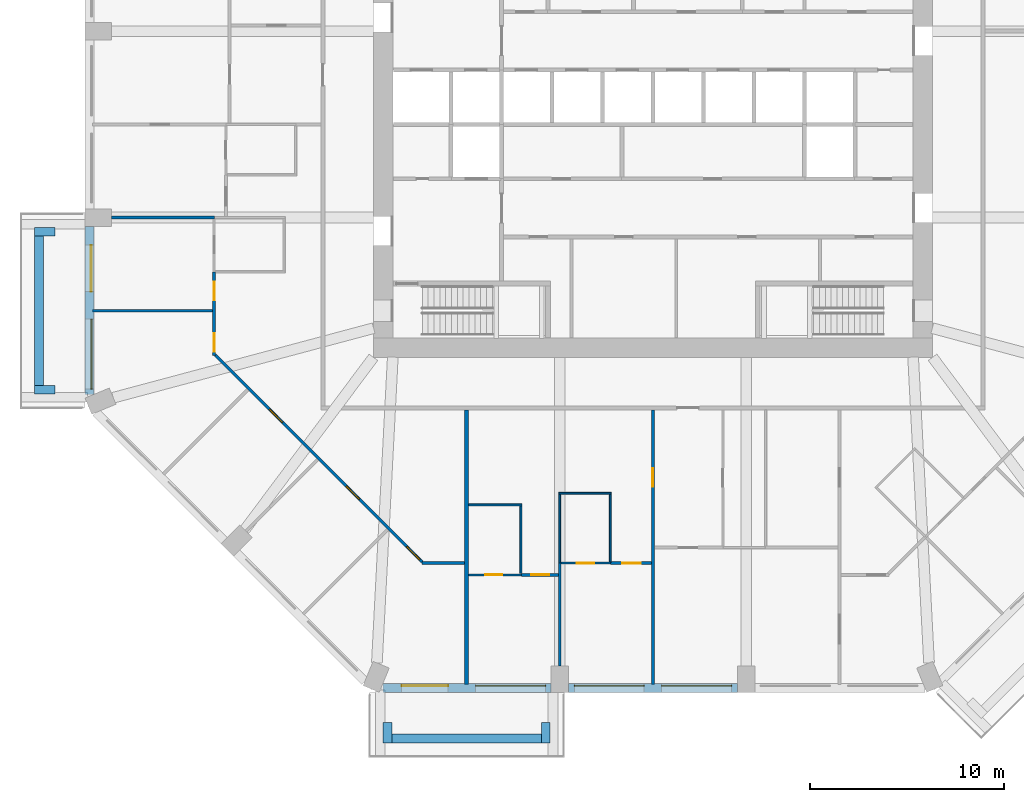
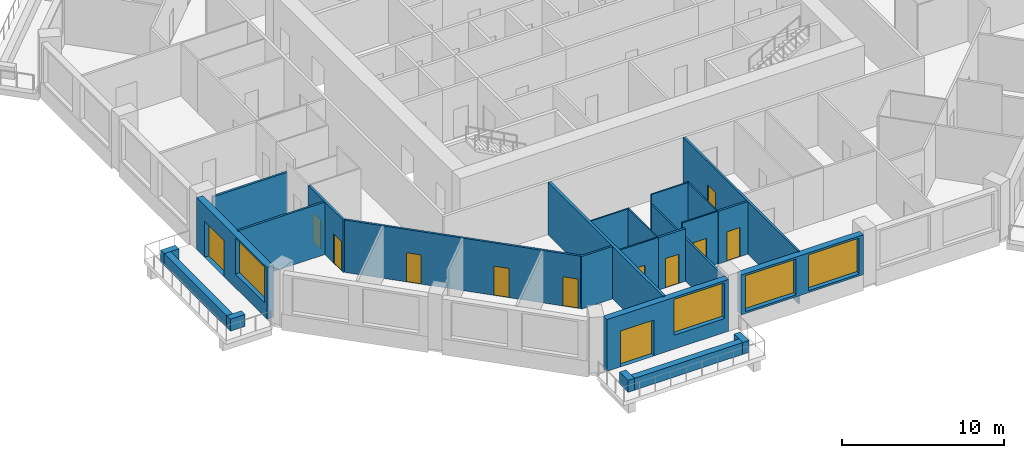
# One storey, part 3 of 13: 26 walls, 12 doors, 4 windows, 16 openings.
"""IFC4 building model written with IfcOpenShell, lengths in metres."""

from ifc_helpers import new_model, si_unit, direction, frame, frame_2d, origin, place, context, subcontext, project, spatial, rectangle, extrude, material, layer, layer_set, type_object, element, fill, save


model = new_model("IFC4")

# Units and contexts
model_context = context("Model", 3, precision=1e-05, world=origin(), true_north=direction((0.0, 1.0)))
body_context = subcontext(model_context, "Body", "Model", "MODEL_VIEW")
ifc_project = project(units=[si_unit("LENGTHUNIT", "METRE"), si_unit("AREAUNIT", "SQUARE_METRE"), si_unit("VOLUMEUNIT", "CUBIC_METRE"), si_unit("PLANEANGLEUNIT", "RADIAN"), si_unit("MASSUNIT", "GRAM", prefix="KILO")], contexts=[model_context])

# Site, building, storey
site_placement = place(None, origin())
site = spatial("IfcSite", under=ifc_project, at=site_placement, CompositionType="ELEMENT")
building_placement = place(site_placement, origin())
building = spatial("IfcBuilding", under=site, at=building_placement, Name="Msitu Wima Residences", CompositionType="ELEMENT")
storey_placement = place(building_placement, frame((0.0, 0.0, 84.300048828125)))
storey = spatial("IfcBuildingStorey", under=building, at=storey_placement, Name="L19", CompositionType="ELEMENT", Elevation=84.300048828125)

# Walls
ifc_material_1 = material(Name="Facing brick")
ifc_layer_1 = layer(ifc_material_1, 0.06494140625, Name="Facing brick")
ifc_material_2 = material(Name="Concrete C40/50", Category="concrete")
ifc_layer_2 = layer(ifc_material_2, 0.156005859375, Name="Concrete C40/50")
ifc_material_3 = material(Name="Waterproofing membrane")
ifc_layer_3 = layer(ifc_material_3, 0.00390625, Name="Waterproofing membrane")
ifc_material_4 = material(Name="Planting soil and planting")
ifc_layer_4 = layer(ifc_material_4, 0.22509765625, Name="Planting soil and planting")
ifc_layer_set_1 = layer_set([ifc_layer_1, ifc_layer_2, ifc_layer_3, ifc_layer_4], Name="Concrete C40/50")
wall_type_1 = type_object("IfcWallType", Name="Balcony planter PLANTER PL450", PredefinedType="USERDEFINED", material=ifc_layer_set_1)
wall_1_placement = place(storey_placement, frame((-31.625, -5.75, 0.0), z_axis=(0.0, 0.0, 1.0), x_axis=(0.0, -1.0, 0.0)))
element("IfcWall", 1, at=wall_1_placement, inside=storey, type_object=wall_type_1, Name="Balcony planter W2 L19", ObjectType="PLANTER", PredefinedType="USERDEFINED", context=body_context, shape_type="SweptSolid", body=[
    extrude(rectangle(XDim=7.699951171875, YDim=0.449951171875, at=frame_2d((3.85009765625, 0.0))), origin(), (0.0, 0.0, 1.0), 0.89990234375),
])
for number, where, z_axis, x_axis, name in (
    (2, (-30.800048828125, -5.52490234375, 0.0), (0.0, 0.0, 1.0), (-1.0, 0.0, 0.0), "Balcony planter W2 L19"),
    (3, (-30.800048828125, -13.675048828125, 0.0), (0.0, 0.0, 1.0), (-1.0, 0.0, 0.0), "Balcony planter W2 L19"),
):
    element("IfcWall", number, at=place(storey_placement, frame(where, z_axis=z_axis, x_axis=x_axis)), inside=storey, type_object=wall_type_1, Name=name, ObjectType="PLANTER", PredefinedType="USERDEFINED", context=body_context, shape_type="SweptSolid", body=[
        extrude(rectangle(XDim=1.050048828125, YDim=0.449951171875, at=frame_2d((0.52490234375, 0.0))), origin(), (0.0, 0.0, 1.0), 0.89990234375),
    ])
wall_2_placement = place(storey_placement, frame((-13.449951171875, -31.625, 0.0), z_axis=(0.0, 0.0, 1.0), x_axis=(1.0, 0.0, 0.0)))
element("IfcWall", 4, at=wall_2_placement, inside=storey, type_object=wall_type_1, Name="Balcony planter S0 L19", ObjectType="PLANTER", PredefinedType="USERDEFINED", context=body_context, shape_type="SweptSolid", body=[
    extrude(rectangle(XDim=7.699951171875, YDim=0.449951171875, at=frame_2d((3.85009765625, 0.0))), origin(), (0.0, 0.0, 1.0), 0.89990234375),
])
for number, where, z_axis, x_axis, name in (
    (5, (-13.675048828125, -30.800048828125, 0.0), (0.0, 0.0, 1.0), (0.0, -1.0, 0.0), "Balcony planter S0 L19"),
    (6, (-5.52490234375, -30.800048828125, 0.0), (0.0, 0.0, 1.0), (0.0, -1.0, 0.0), "Balcony planter S0 L19"),
):
    element("IfcWall", number, at=place(storey_placement, frame(where, z_axis=z_axis, x_axis=x_axis)), inside=storey, type_object=wall_type_1, Name=name, ObjectType="PLANTER", PredefinedType="USERDEFINED", context=body_context, shape_type="SweptSolid", body=[
        extrude(rectangle(XDim=1.050048828125, YDim=0.449951171875, at=frame_2d((0.52490234375, 0.0))), origin(), (0.0, 0.0, 1.0), 0.89990234375),
    ])

# Wall, openings, door, window
ifc_material_5 = material(Name="Brick (red buff mix)", Category="masonry")
ifc_layer_5 = layer(ifc_material_5, 0.449951171875)
ifc_layer_set_2 = layer_set([ifc_layer_5], Name="Brick (red buff mix)")
wall_type_2 = type_object("IfcWallType", Name="Brick infill wall BW450", PredefinedType="SOLIDWALL", material=ifc_layer_set_2)
wall_3_placement = place(storey_placement, frame((-29.02490234375, -5.25, 0.0), z_axis=(0.0, 0.0, 1.0), x_axis=(0.0, -1.0, 0.0)))
wall_3 = element("IfcWall", 7, at=wall_3_placement, inside=storey, type_object=wall_type_2, Name="Brick infill wall L19 W2", PredefinedType="SOLIDWALL", context=body_context, shape_type="SweptSolid", body=[
    extrude(rectangle(XDim=8.662841796875, YDim=0.449951171875, at=frame_2d((4.33154296875, 0.0))), origin(), (0.0, 0.0, 1.0), 3.89990234375),
])
opening_1_placement = place(wall_3_placement, frame((0.9658203125, 0.0, 0.0)))
opening_1 = element("IfcOpeningElement", 8, at=opening_1_placement, cuts=wall_3, Name="Opening D18-20.007", PredefinedType="OPENING", context=body_context, shape_type="SweptSolid", body=[
    extrude(rectangle(XDim=2.39990234375, YDim=2.699951171875, at=frame_2d((1.199951171875, 1.35009765625))), frame((0.0, 0.23486328125, 0.0), z_axis=(0.0, -1.0, 0.0), x_axis=(1.0, 0.0, 0.0)), (0.0, 0.0, 1.0), 0.469970703125),
])
opening_2_placement = place(wall_3_placement, frame((4.781494140625, 0.0, 1.050048828125)))
opening_2 = element("IfcOpeningElement", 9, at=opening_2_placement, cuts=wall_3, Name="Opening W18-20.033", PredefinedType="OPENING", context=body_context, shape_type="SweptSolid", body=[
    extrude(rectangle(XDim=3.60009765625, YDim=2.699951171875, at=frame_2d((1.800048828125, 1.35009765625))), frame((0.0, 0.23486328125, 0.0), z_axis=(0.0, -1.0, 0.0), x_axis=(1.0, 0.0, 0.0)), (0.0, 0.0, 1.0), 0.469970703125),
])
ifc_material_6 = material(Name="Anodised aluminium, bronze finish, clear low-emissivity double glazing", Category="aluminium")
door_type_1 = type_object("IfcDoorType", Name="Balcony door D2400x2700", OperationType="SLIDING_TO_LEFT", PredefinedType="DOOR", material=ifc_material_6)
door_1_placement = place(opening_1_placement, origin())
door_1 = element("IfcDoor", 10, at=door_1_placement, inside=storey, type_object=door_type_1, Name="Balcony door L19 W2", OperationType="SINGLE_SWING_LEFT", OverallHeight=2.699951171875, OverallWidth=2.39990234375, PredefinedType="DOOR", context=body_context, shape_type="SweptSolid", body=[
    extrude(rectangle(XDim=2.39990234375, YDim=2.699951171875, at=frame_2d((1.199951171875, 1.35009765625))), frame((0.0, 0.1298828125, 0.0), z_axis=(0.0, -1.0, 0.0), x_axis=(1.0, 0.0, 0.0)), (0.0, 0.0, 1.0), 0.050048828125),
])
fill(opening_1, door_1)
window_type = type_object("IfcWindowType", Name="Window W3600x2700", PartitioningType="DOUBLE_PANEL_VERTICAL", PredefinedType="WINDOW", material=ifc_material_6)
window_1_placement = place(opening_2_placement, origin())
window_1 = element("IfcWindow", 11, at=window_1_placement, inside=storey, type_object=window_type, Name="Window L19 W2.2", OverallHeight=2.699951171875, OverallWidth=3.60009765625, PartitioningType="SINGLE_PANEL", PredefinedType="WINDOW", context=body_context, shape_type="SweptSolid", body=[
    extrude(rectangle(XDim=3.60009765625, YDim=2.699951171875, at=frame_2d((1.800048828125, 1.35009765625))), frame((0.0, 0.135009765625, 0.0), z_axis=(0.0, -1.0, 0.0), x_axis=(1.0, 0.0, 0.0)), (0.0, 0.0, 1.0), 0.06005859375),
])
fill(opening_2, window_1)

wall_4_placement = place(storey_placement, frame((-13.912841796875, -29.02490234375, 0.0), z_axis=(0.0, 0.0, 1.0), x_axis=(1.0, 0.0, 0.0)))
wall_4 = element("IfcWall", 12, at=wall_4_placement, inside=storey, type_object=wall_type_2, Name="Brick infill wall L19 S0", PredefinedType="SOLIDWALL", context=body_context, shape_type="SweptSolid", body=[
    extrude(rectangle(XDim=8.662841796875, YDim=0.449951171875, at=frame_2d((4.33154296875, 0.0))), origin(), (0.0, 0.0, 1.0), 3.89990234375),
])
opening_3_placement = place(wall_4_placement, frame((0.9658203125, 0.0, 0.0)))
opening_3 = element("IfcOpeningElement", 13, at=opening_3_placement, cuts=wall_4, Name="Opening D18-20.005", PredefinedType="OPENING", context=body_context, shape_type="SweptSolid", body=[
    extrude(rectangle(XDim=2.39990234375, YDim=2.699951171875, at=frame_2d((1.199951171875, 1.35009765625))), frame((0.0, 0.23486328125, 0.0), z_axis=(0.0, -1.0, 0.0), x_axis=(1.0, 0.0, 0.0)), (0.0, 0.0, 1.0), 0.469970703125),
])
opening_4_placement = place(wall_4_placement, frame((4.781494140625, 0.0, 1.050048828125)))
opening_4 = element("IfcOpeningElement", 14, at=opening_4_placement, cuts=wall_4, Name="Opening W18-20.017", PredefinedType="OPENING", context=body_context, shape_type="SweptSolid", body=[
    extrude(rectangle(XDim=3.60009765625, YDim=2.699951171875, at=frame_2d((1.800048828125, 1.35009765625))), frame((0.0, 0.23486328125, 0.0), z_axis=(0.0, -1.0, 0.0), x_axis=(1.0, 0.0, 0.0)), (0.0, 0.0, 1.0), 0.469970703125),
])
door_2_placement = place(opening_3_placement, origin())
door_2 = element("IfcDoor", 15, at=door_2_placement, inside=storey, type_object=door_type_1, Name="Balcony door L19 S0", OperationType="SINGLE_SWING_LEFT", OverallHeight=2.699951171875, OverallWidth=2.39990234375, PredefinedType="DOOR", context=body_context, shape_type="SweptSolid", body=[
    extrude(rectangle(XDim=2.39990234375, YDim=2.699951171875, at=frame_2d((1.199951171875, 1.35009765625))), frame((0.0, 0.1298828125, 0.0), z_axis=(0.0, -1.0, 0.0), x_axis=(1.0, 0.0, 0.0)), (0.0, 0.0, 1.0), 0.050048828125),
])
fill(opening_3, door_2)
window_2_placement = place(opening_4_placement, origin())
window_2 = element("IfcWindow", 16, at=window_2_placement, inside=storey, type_object=window_type, Name="Window L19 S0.2", OverallHeight=2.699951171875, OverallWidth=3.60009765625, PartitioningType="SINGLE_PANEL", PredefinedType="WINDOW", context=body_context, shape_type="SweptSolid", body=[
    extrude(rectangle(XDim=3.60009765625, YDim=2.699951171875, at=frame_2d((1.800048828125, 1.35009765625))), frame((0.0, 0.135009765625, 0.0), z_axis=(0.0, -1.0, 0.0), x_axis=(1.0, 0.0, 0.0)), (0.0, 0.0, 1.0), 0.06005859375),
])
fill(opening_4, window_2)

# Wall, openings, windows
wall_5_placement = place(storey_placement, frame((-4.35009765625, -29.02490234375, 0.89990234375), z_axis=(0.0, 0.0, 1.0), x_axis=(1.0, 0.0, 0.0)))
wall_5 = element("IfcWall", 17, at=wall_5_placement, inside=storey, type_object=wall_type_2, Name="Brick infill wall L19 S1", PredefinedType="SOLIDWALL", context=body_context, shape_type="SweptSolid", body=[
    extrude(rectangle(XDim=8.7001953125, YDim=0.449951171875, at=frame_2d((4.35009765625, 0.0))), origin(), (0.0, 0.0, 1.0), 3.0),
])
opening_5_placement = place(wall_5_placement, frame((0.300048828125, 0.0, 0.14990234375)))
opening_5 = element("IfcOpeningElement", 18, at=opening_5_placement, cuts=wall_5, Name="Opening W18-20.018", PredefinedType="OPENING", context=body_context, shape_type="SweptSolid", body=[
    extrude(rectangle(XDim=3.60009765625, YDim=2.699951171875, at=frame_2d((1.800048828125, 1.35009765625))), frame((0.0, 0.23486328125, 0.0), z_axis=(0.0, -1.0, 0.0), x_axis=(1.0, 0.0, 0.0)), (0.0, 0.0, 1.0), 0.469970703125),
])
opening_6_placement = place(wall_5_placement, frame((4.800048828125, 0.0, 0.14990234375)))
opening_6 = element("IfcOpeningElement", 19, at=opening_6_placement, cuts=wall_5, Name="Opening W18-20.019", PredefinedType="OPENING", context=body_context, shape_type="SweptSolid", body=[
    extrude(rectangle(XDim=3.60009765625, YDim=2.699951171875, at=frame_2d((1.800048828125, 1.35009765625))), frame((0.0, 0.23486328125, 0.0), z_axis=(0.0, -1.0, 0.0), x_axis=(1.0, 0.0, 0.0)), (0.0, 0.0, 1.0), 0.469970703125),
])
window_3_placement = place(opening_5_placement, origin())
window_3 = element("IfcWindow", 20, at=window_3_placement, inside=storey, type_object=window_type, Name="Window L19 S1.1", OverallHeight=2.699951171875, OverallWidth=3.60009765625, PartitioningType="SINGLE_PANEL", PredefinedType="WINDOW", context=body_context, shape_type="SweptSolid", body=[
    extrude(rectangle(XDim=3.60009765625, YDim=2.699951171875, at=frame_2d((1.800048828125, 1.35009765625))), frame((0.0, 0.135009765625, 0.0), z_axis=(0.0, -1.0, 0.0), x_axis=(1.0, 0.0, 0.0)), (0.0, 0.0, 1.0), 0.06005859375),
])
fill(opening_5, window_3)
window_4_placement = place(opening_6_placement, origin())
window_4 = element("IfcWindow", 21, at=window_4_placement, inside=storey, type_object=window_type, Name="Window L19 S1.2", OverallHeight=2.699951171875, OverallWidth=3.60009765625, PartitioningType="SINGLE_PANEL", PredefinedType="WINDOW", context=body_context, shape_type="SweptSolid", body=[
    extrude(rectangle(XDim=3.60009765625, YDim=2.699951171875, at=frame_2d((1.800048828125, 1.35009765625))), frame((0.0, 0.135009765625, 0.0), z_axis=(0.0, -1.0, 0.0), x_axis=(1.0, 0.0, 0.0)), (0.0, 0.0, 1.0), 0.06005859375),
])
fill(opening_6, window_4)

# Walls
ifc_material_7 = material(Name="Plaster")
ifc_layer_6 = layer(ifc_material_7, 0.011962890625, Name="Plaster")
ifc_material_8 = material(Name="Concrete blockwork", Category="masonry")
ifc_layer_7 = layer(ifc_material_8, 0.1259765625, Name="Concrete blockwork")
ifc_layer_8 = layer(ifc_material_7, 0.011962890625, Name="Plaster")
ifc_layer_set_3 = layer_set([ifc_layer_6, ifc_layer_7, ifc_layer_8], Name="Concrete blockwork")
wall_type_3 = type_object("IfcWallType", Name="Partition PW150", PredefinedType="PARTITIONING", material=ifc_layer_set_3)
wall_6_placement = place(storey_placement, frame((-28.85498046875, -9.60009765625, 0.0), z_axis=(0.0, 0.0, 1.0), x_axis=(1.0, 0.0, 0.0)))
element("IfcWall", 22, at=wall_6_placement, inside=storey, type_object=wall_type_3, Name="Partition", PredefinedType="PARTITIONING", context=body_context, shape_type="SweptSolid", body=[
    extrude(rectangle(XDim=6.179931640625, YDim=0.14990234375, at=frame_2d((3.08984375, 0.0))), origin(), (0.0, 0.0, 1.0), 3.949951171875),
])
wall_7_placement = place(storey_placement, frame((-27.89990234375, -4.800048828125, 0.0), z_axis=(0.0, 0.0, 1.0), x_axis=(1.0, 0.0, 0.0)))
element("IfcWall", 23, at=wall_7_placement, inside=storey, type_object=wall_type_3, Name="Partition", PredefinedType="PARTITIONING", context=body_context, shape_type="SweptSolid", body=[
    extrude(rectangle(XDim=5.31982421875, YDim=0.14990234375, at=frame_2d((2.659912109375, 0.0))), origin(), (0.0, 0.0, 1.0), 3.25),
])

# Wall, openings, doors
wall_8_placement = place(storey_placement, frame((-22.60009765625, -11.906982421875, 0.0), z_axis=(0.0, 0.0, 1.0), x_axis=(0.0, 1.0, 0.0)))
wall_8 = element("IfcWall", 24, at=wall_8_placement, inside=storey, type_object=wall_type_3, Name="Partition", PredefinedType="PARTITIONING", context=body_context, shape_type="SweptSolid", body=[
    extrude(rectangle(XDim=4.306884765625, YDim=0.14990234375, at=frame_2d((2.1533203125, 0.0))), origin(), (0.0, 0.0, 1.0), 3.949951171875),
])
opening_7_placement = place(wall_8_placement, frame((2.85009765625, 0.0, 0.0)))
opening_7 = element("IfcOpeningElement", 25, at=opening_7_placement, cuts=wall_8, Name="Opening D18-20.060", PredefinedType="OPENING", context=body_context, shape_type="SweptSolid", body=[
    extrude(rectangle(XDim=0.949951171875, YDim=2.199951171875, at=frame_2d((0.47509765625, 1.10009765625))), frame((0.0, 0.0849609375, 0.0), z_axis=(0.0, -1.0, 0.0), x_axis=(1.0, 0.0, 0.0)), (0.0, 0.0, 1.0), 0.169921875),
])
opening_8_placement = place(wall_8_placement, frame((0.199951171875, 0.0, 0.0)))
opening_8 = element("IfcOpeningElement", 26, at=opening_8_placement, cuts=wall_8, Name="Opening D18-20.062", PredefinedType="OPENING", context=body_context, shape_type="SweptSolid", body=[
    extrude(rectangle(XDim=0.949951171875, YDim=2.199951171875, at=frame_2d((0.47509765625, 1.10009765625))), frame((0.0, 0.0849609375, 0.0), z_axis=(0.0, -1.0, 0.0), x_axis=(1.0, 0.0, 0.0)), (0.0, 0.0, 1.0), 0.169921875),
])
ifc_material_9 = material(Name="Timber flush door", Category="wood")
door_type_2 = type_object("IfcDoorType", Name="Room door D12 950x2200", OperationType="SINGLE_SWING_LEFT", PredefinedType="DOOR", material=ifc_material_9)
door_3_placement = place(opening_7_placement, origin())
door_3 = element("IfcDoor", 27, at=door_3_placement, inside=storey, type_object=door_type_2, Name="Room door", OperationType="SINGLE_SWING_LEFT", OverallHeight=2.199951171875, OverallWidth=0.949951171875, PredefinedType="DOOR", context=body_context, shape_type="SweptSolid", body=[
    extrude(rectangle(XDim=0.949951171875, YDim=2.199951171875, at=frame_2d((0.47509765625, 1.10009765625))), frame((0.0, 0.02490234375, 0.0), z_axis=(0.0, -1.0, 0.0), x_axis=(1.0, 0.0, 0.0)), (0.0, 0.0, 1.0), 0.050048828125),
])
fill(opening_7, door_3)
door_4_placement = place(opening_8_placement, origin())
door_4 = element("IfcDoor", 28, at=door_4_placement, inside=storey, type_object=door_type_2, Name="Room door", OperationType="SINGLE_SWING_RIGHT", OverallHeight=2.199951171875, OverallWidth=0.949951171875, PredefinedType="DOOR", context=body_context, shape_type="SweptSolid", body=[
    extrude(rectangle(XDim=0.949951171875, YDim=2.199951171875, at=frame_2d((0.47509765625, 1.10009765625))), frame((0.0, 0.02490234375, 0.0), z_axis=(0.0, -1.0, 0.0), x_axis=(1.0, 0.0, 0.0)), (0.0, 0.0, 1.0), 0.050048828125),
])
fill(opening_8, door_4)

wall_9_placement = place(storey_placement, frame((-22.546875, -11.885009765625, 0.0), z_axis=(0.0, 0.0, 1.0), x_axis=(0.707106781187, -0.707106781187, 0.0)))
wall_9 = element("IfcWall", 29, at=wall_9_placement, inside=storey, type_object=wall_type_3, Name="Partition", PredefinedType="PARTITIONING", context=body_context, shape_type="SweptSolid", body=[
    extrude(rectangle(XDim=15.078125, YDim=0.14990234375, at=frame_2d((7.5390625, 0.0))), origin(), (0.0, 0.0, 1.0), 3.949951171875),
])
opening_9_placement = place(wall_9_placement, frame((3.949951171875, 0.0, 0.0)))
opening_9 = element("IfcOpeningElement", 30, at=opening_9_placement, cuts=wall_9, Name="Opening D18-20.057", PredefinedType="OPENING", context=body_context, shape_type="SweptSolid", body=[
    extrude(rectangle(XDim=0.949951171875, YDim=2.199951171875, at=frame_2d((0.47509765625, 1.10009765625))), frame((0.0, 0.0849609375, 0.0), z_axis=(0.0, -1.0, 0.0), x_axis=(1.0, 0.0, 0.0)), (0.0, 0.0, 1.0), 0.169921875),
])
opening_10_placement = place(wall_9_placement, frame((9.550048828125, 0.0, 0.0)))
opening_10 = element("IfcOpeningElement", 31, at=opening_10_placement, cuts=wall_9, Name="Opening D18-20.058", PredefinedType="OPENING", context=body_context, shape_type="SweptSolid", body=[
    extrude(rectangle(XDim=0.949951171875, YDim=2.199951171875, at=frame_2d((0.47509765625, 1.10009765625))), frame((0.0, 0.0849609375, 0.0), z_axis=(0.0, -1.0, 0.0), x_axis=(1.0, 0.0, 0.0)), (0.0, 0.0, 1.0), 0.169921875),
])
opening_11_placement = place(wall_9_placement, frame((13.949951171875, 0.0, 0.0)))
opening_11 = element("IfcOpeningElement", 32, at=opening_11_placement, cuts=wall_9, Name="Opening D18-20.063", PredefinedType="OPENING", context=body_context, shape_type="SweptSolid", body=[
    extrude(rectangle(XDim=0.949951171875, YDim=2.199951171875, at=frame_2d((0.47509765625, 1.10009765625))), frame((0.0, 0.0849609375, 0.0), z_axis=(0.0, -1.0, 0.0), x_axis=(1.0, 0.0, 0.0)), (0.0, 0.0, 1.0), 0.169921875),
])
door_5_placement = place(opening_9_placement, origin())
door_5 = element("IfcDoor", 33, at=door_5_placement, inside=storey, type_object=door_type_2, Name="Room door", OperationType="SINGLE_SWING_RIGHT", OverallHeight=2.199951171875, OverallWidth=0.949951171875, PredefinedType="DOOR", context=body_context, shape_type="SweptSolid", body=[
    extrude(rectangle(XDim=0.949951171875, YDim=2.199951171875, at=frame_2d((0.47509765625, 1.10009765625))), frame((0.0, 0.02490234375, 0.0), z_axis=(0.0, -1.0, 0.0), x_axis=(1.0, 0.0, 0.0)), (0.0, 0.0, 1.0), 0.050048828125),
])
fill(opening_9, door_5)
door_6_placement = place(opening_10_placement, origin())
door_6 = element("IfcDoor", 34, at=door_6_placement, inside=storey, type_object=door_type_2, Name="Room door", OperationType="SINGLE_SWING_RIGHT", OverallHeight=2.199951171875, OverallWidth=0.949951171875, PredefinedType="DOOR", context=body_context, shape_type="SweptSolid", body=[
    extrude(rectangle(XDim=0.949951171875, YDim=2.199951171875, at=frame_2d((0.47509765625, 1.10009765625))), frame((0.0, 0.02490234375, 0.0), z_axis=(0.0, -1.0, 0.0), x_axis=(1.0, 0.0, 0.0)), (0.0, 0.0, 1.0), 0.050048828125),
])
fill(opening_10, door_6)
door_7_placement = place(opening_11_placement, origin())
door_7 = element("IfcDoor", 35, at=door_7_placement, inside=storey, type_object=door_type_2, Name="Room door", OperationType="SINGLE_SWING_RIGHT", OverallHeight=2.199951171875, OverallWidth=0.949951171875, PredefinedType="DOOR", context=body_context, shape_type="SweptSolid", body=[
    extrude(rectangle(XDim=0.949951171875, YDim=2.199951171875, at=frame_2d((0.47509765625, 1.10009765625))), frame((0.0, 0.02490234375, 0.0), z_axis=(0.0, -1.0, 0.0), x_axis=(1.0, 0.0, 0.0)), (0.0, 0.0, 1.0), 0.050048828125),
])
fill(opening_11, door_7)

# Wall
wall_10_placement = place(storey_placement, frame((-11.906982421875, -22.60009765625, 0.0), z_axis=(0.0, 0.0, 1.0), x_axis=(1.0, 0.0, 0.0)))
element("IfcWall", 36, at=wall_10_placement, inside=storey, type_object=wall_type_3, Name="Partition", PredefinedType="PARTITIONING", context=body_context, shape_type="SweptSolid", body=[
    extrude(rectangle(XDim=2.20703125, YDim=0.14990234375, at=frame_2d((1.103515625, 0.0))), origin(), (0.0, 0.0, 1.0), 3.949951171875),
])

# Wall, opening, door
wall_11_placement = place(storey_placement, frame((-6.780029296875, -23.199951171875, 0.0), z_axis=(0.0, 0.0, 1.0), x_axis=(1.0, 0.0, 0.0)))
wall_11 = element("IfcWall", 37, at=wall_11_placement, inside=storey, type_object=wall_type_3, Name="Partition", PredefinedType="PARTITIONING", context=body_context, shape_type="SweptSolid", body=[
    extrude(rectangle(XDim=1.905029296875, YDim=0.14990234375, at=frame_2d((0.95263671875, 0.0))), origin(), (0.0, 0.0, 1.0), 3.949951171875),
])
opening_12_placement = place(wall_11_placement, frame((0.5, 0.0, 0.0)))
opening_12 = element("IfcOpeningElement", 38, at=opening_12_placement, cuts=wall_11, Name="Opening D18-20.068", PredefinedType="OPENING", context=body_context, shape_type="SweptSolid", body=[
    extrude(rectangle(XDim=0.949951171875, YDim=2.199951171875, at=frame_2d((0.47509765625, 1.10009765625))), frame((0.0, 0.0849609375, 0.0), z_axis=(0.0, -1.0, 0.0), x_axis=(1.0, 0.0, 0.0)), (0.0, 0.0, 1.0), 0.169921875),
])
door_8_placement = place(opening_12_placement, origin())
door_8 = element("IfcDoor", 39, at=door_8_placement, inside=storey, type_object=door_type_2, Name="Room door", OperationType="SINGLE_SWING_LEFT", OverallHeight=2.199951171875, OverallWidth=0.949951171875, PredefinedType="DOOR", context=body_context, shape_type="SweptSolid", body=[
    extrude(rectangle(XDim=0.949951171875, YDim=2.199951171875, at=frame_2d((0.47509765625, 1.10009765625))), frame((0.0, 0.02490234375, 0.0), z_axis=(0.0, -1.0, 0.0), x_axis=(1.0, 0.0, 0.0)), (0.0, 0.0, 1.0), 0.050048828125),
])
fill(opening_12, door_8)

# Wall
wall_12_placement = place(storey_placement, frame((-4.800048828125, -27.89990234375, 0.0), z_axis=(0.0, 0.0, 1.0), x_axis=(0.0, 1.0, 0.0)))
element("IfcWall", 40, at=wall_12_placement, inside=storey, type_object=wall_type_3, Name="Partition", PredefinedType="PARTITIONING", context=body_context, shape_type="SweptSolid", body=[
    extrude(rectangle(XDim=5.31982421875, YDim=0.14990234375, at=frame_2d((2.659912109375, 0.0))), origin(), (0.0, 0.0, 1.0), 3.199951171875),
])

# Wall, opening, door
wall_13_placement = place(storey_placement, frame((-2.179931640625, -22.60009765625, 0.0), z_axis=(0.0, 0.0, 1.0), x_axis=(1.0, 0.0, 0.0)))
wall_13 = element("IfcWall", 41, at=wall_13_placement, inside=storey, type_object=wall_type_3, Name="Partition", PredefinedType="PARTITIONING", context=body_context, shape_type="SweptSolid", body=[
    extrude(rectangle(XDim=2.10498046875, YDim=0.14990234375, at=frame_2d((1.052490234375, 0.0))), origin(), (0.0, 0.0, 1.0), 3.949951171875),
])
opening_13_placement = place(wall_13_placement, frame((0.60009765625, 0.0, 0.0)))
opening_13 = element("IfcOpeningElement", 42, at=opening_13_placement, cuts=wall_13, Name="Opening D18-20.071", PredefinedType="OPENING", context=body_context, shape_type="SweptSolid", body=[
    extrude(rectangle(XDim=0.949951171875, YDim=2.199951171875, at=frame_2d((0.47509765625, 1.10009765625))), frame((0.0, 0.0849609375, 0.0), z_axis=(0.0, -1.0, 0.0), x_axis=(1.0, 0.0, 0.0)), (0.0, 0.0, 1.0), 0.169921875),
])
door_9_placement = place(opening_13_placement, origin())
door_9 = element("IfcDoor", 43, at=door_9_placement, inside=storey, type_object=door_type_2, Name="Room door", OperationType="SINGLE_SWING_LEFT", OverallHeight=2.199951171875, OverallWidth=0.949951171875, PredefinedType="DOOR", context=body_context, shape_type="SweptSolid", body=[
    extrude(rectangle(XDim=0.949951171875, YDim=2.199951171875, at=frame_2d((0.47509765625, 1.10009765625))), frame((0.0, 0.02490234375, 0.0), z_axis=(0.0, -1.0, 0.0), x_axis=(1.0, 0.0, 0.0)), (0.0, 0.0, 1.0), 0.050048828125),
])
fill(opening_13, door_9)

wall_14_placement = place(storey_placement, frame((0.0, -28.85498046875, 0.0), z_axis=(0.0, 0.0, 1.0), x_axis=(0.0, 1.0, 0.0)))
wall_14 = element("IfcWall", 44, at=wall_14_placement, inside=storey, type_object=wall_type_3, Name="Partition", PredefinedType="PARTITIONING", context=body_context, shape_type="SweptSolid", body=[
    extrude(rectangle(XDim=14.155029296875, YDim=0.14990234375, at=frame_2d((7.07763671875, 0.0))), origin(), (0.0, 0.0, 1.0), 3.949951171875),
])
opening_14_placement = place(wall_14_placement, frame((10.199951171875, 0.0, 0.0)))
opening_14 = element("IfcOpeningElement", 45, at=opening_14_placement, cuts=wall_14, Name="Opening D18-20.064", PredefinedType="OPENING", context=body_context, shape_type="SweptSolid", body=[
    extrude(rectangle(XDim=0.949951171875, YDim=2.199951171875, at=frame_2d((0.47509765625, 1.10009765625))), frame((0.0, 0.0849609375, 0.0), z_axis=(0.0, -1.0, 0.0), x_axis=(1.0, 0.0, 0.0)), (0.0, 0.0, 1.0), 0.169921875),
])
door_10_placement = place(opening_14_placement, origin())
door_10 = element("IfcDoor", 46, at=door_10_placement, inside=storey, type_object=door_type_2, Name="Room door", OperationType="SINGLE_SWING_RIGHT", OverallHeight=2.199951171875, OverallWidth=0.949951171875, PredefinedType="DOOR", context=body_context, shape_type="SweptSolid", body=[
    extrude(rectangle(XDim=0.949951171875, YDim=2.199951171875, at=frame_2d((0.47509765625, 1.10009765625))), frame((0.0, 0.02490234375, 0.0), z_axis=(0.0, -1.0, 0.0), x_axis=(1.0, 0.0, 0.0)), (0.0, 0.0, 1.0), 0.050048828125),
])
fill(opening_14, door_10)

# Wall
ifc_layer_9 = layer(ifc_material_7, 0.011962890625, Name="Plaster")
ifc_material_10 = material(Name="Dense concrete blockwork", Category="masonry")
ifc_layer_10 = layer(ifc_material_10, 0.176025390625, Name="Dense concrete blockwork")
ifc_layer_11 = layer(ifc_material_7, 0.011962890625, Name="Plaster")
ifc_layer_set_4 = layer_set([ifc_layer_9, ifc_layer_10, ifc_layer_11], Name="Dense concrete blockwork")
wall_type_4 = type_object("IfcWallType", Name="Party wall PW200", PredefinedType="PARTITIONING", material=ifc_layer_set_4)
wall_15_placement = place(storey_placement, frame((-9.60009765625, -28.85498046875, 0.0), z_axis=(0.0, 0.0, 1.0), x_axis=(0.0, 1.0, 0.0)))
element("IfcWall", 47, at=wall_15_placement, inside=storey, type_object=wall_type_4, Name="Party wall", PredefinedType="PARTITIONING", context=body_context, shape_type="SweptSolid", body=[
    extrude(rectangle(XDim=14.155029296875, YDim=0.199951171875, at=frame_2d((7.07763671875, 0.0))), origin(), (0.0, 0.0, 1.0), 3.949951171875),
])

# Wall, opening, door
ifc_material_11 = material(Name="Ceramic tiles")
ifc_layer_12 = layer(ifc_material_11, 0.008056640625, Name="Ceramic tiles")
ifc_material_12 = material(Name="Moisture-resistant board")
ifc_layer_13 = layer(ifc_material_12, 0.012451171875, Name="Moisture-resistant board")
ifc_material_13 = material(Name="Light-gauge stud framing with mineral wool")
ifc_layer_14 = layer(ifc_material_13, 0.06689453125, Name="Light-gauge stud framing with mineral wool")
ifc_layer_15 = layer(ifc_material_12, 0.012451171875, Name="Moisture-resistant board")
ifc_layer_set_5 = layer_set([ifc_layer_12, ifc_layer_13, ifc_layer_14, ifc_layer_15], Name="Light-gauge stud framing with mineral wool")
wall_type_5 = type_object("IfcWallType", Name="Wet wall PW100", PredefinedType="PARTITIONING", material=ifc_layer_set_5)
wall_16_placement = place(storey_placement, frame((-9.5, -23.199951171875, 0.0), z_axis=(0.0, 0.0, 1.0), x_axis=(1.0, 0.0, 0.0)))
wall_16 = element("IfcWall", 48, at=wall_16_placement, inside=storey, type_object=wall_type_5, Name="Wet wall", PredefinedType="PARTITIONING", context=body_context, shape_type="SweptSolid", body=[
    extrude(rectangle(XDim=2.719970703125, YDim=0.10009765625, at=frame_2d((1.35986328125, 0.0))), origin(), (0.0, 0.0, 1.0), 3.949951171875),
])
opening_15_placement = place(wall_16_placement, frame((0.85009765625, 0.0, 0.0)))
opening_15 = element("IfcOpeningElement", 49, at=opening_15_placement, cuts=wall_16, Name="Opening D18-20.069", PredefinedType="OPENING", context=body_context, shape_type="SweptSolid", body=[
    extrude(rectangle(XDim=0.89990234375, YDim=2.199951171875, at=frame_2d((0.449951171875, 1.10009765625))), frame((0.0, 0.06005859375, 0.0), z_axis=(0.0, -1.0, 0.0), x_axis=(1.0, 0.0, 0.0)), (0.0, 0.0, 1.0), 0.1201171875),
])
ifc_material_14 = material(Name="Timber flush door, moisture resistant", Category="wood")
door_type_3 = type_object("IfcDoorType", Name="Bathroom door D03 900x2200", OperationType="SINGLE_SWING_LEFT", PredefinedType="DOOR", material=ifc_material_14)
door_11_placement = place(opening_15_placement, origin())
door_11 = element("IfcDoor", 50, at=door_11_placement, inside=storey, type_object=door_type_3, Name="Bathroom door", OperationType="SINGLE_SWING_LEFT", OverallHeight=2.199951171875, OverallWidth=0.89990234375, PredefinedType="DOOR", context=body_context, shape_type="SweptSolid", body=[
    extrude(rectangle(XDim=0.89990234375, YDim=2.199951171875, at=frame_2d((0.449951171875, 1.10009765625))), frame((0.0, 0.02490234375, 0.0), z_axis=(0.0, -1.0, 0.0), x_axis=(1.0, 0.0, 0.0)), (0.0, 0.0, 1.0), 0.050048828125),
])
fill(opening_15, door_11)

# Walls
wall_17_placement = place(storey_placement, frame((-9.5, -19.60009765625, 0.0), z_axis=(0.0, 0.0, 1.0), x_axis=(1.0, 0.0, 0.0)))
element("IfcWall", 51, at=wall_17_placement, inside=storey, type_object=wall_type_5, Name="Wet wall", PredefinedType="PARTITIONING", context=body_context, shape_type="SweptSolid", body=[
    extrude(rectangle(XDim=2.75, YDim=0.10009765625, at=frame_2d((1.375, 0.0))), origin(), (0.0, 0.0, 1.0), 3.949951171875),
])
wall_18_placement = place(storey_placement, frame((-6.800048828125, -23.125, 0.0), z_axis=(0.0, 0.0, 1.0), x_axis=(0.0, 1.0, 0.0)))
element("IfcWall", 52, at=wall_18_placement, inside=storey, type_object=wall_type_5, Name="Wet wall", PredefinedType="PARTITIONING", context=body_context, shape_type="SweptSolid", body=[
    extrude(rectangle(XDim=3.47509765625, YDim=0.10009765625, at=frame_2d((1.737548828125, 0.0))), origin(), (0.0, 0.0, 1.0), 3.949951171875),
])
wall_19_placement = place(storey_placement, frame((-4.800048828125, -22.580078125, 0.0), z_axis=(0.0, 0.0, 1.0), x_axis=(0.0, 1.0, 0.0)))
element("IfcWall", 53, at=wall_19_placement, inside=storey, type_object=wall_type_5, Name="Wet wall", PredefinedType="PARTITIONING", context=body_context, shape_type="SweptSolid", body=[
    extrude(rectangle(XDim=3.530029296875, YDim=0.10009765625, at=frame_2d((1.76513671875, 0.0))), origin(), (0.0, 0.0, 1.0), 3.199951171875),
])

# Wall, opening, door
wall_20_placement = place(storey_placement, frame((-4.72509765625, -22.60009765625, 0.0), z_axis=(0.0, 0.0, 1.0), x_axis=(1.0, 0.0, 0.0)))
wall_20 = element("IfcWall", 54, at=wall_20_placement, inside=storey, type_object=wall_type_5, Name="Wet wall", PredefinedType="PARTITIONING", context=body_context, shape_type="SweptSolid", body=[
    extrude(rectangle(XDim=2.545166015625, YDim=0.10009765625, at=frame_2d((1.2724609375, 0.0))), origin(), (0.0, 0.0, 1.0), 3.949951171875),
])
opening_16_placement = place(wall_20_placement, frame((0.800048828125, 0.0, 0.0)))
opening_16 = element("IfcOpeningElement", 55, at=opening_16_placement, cuts=wall_20, Name="Opening D18-20.072", PredefinedType="OPENING", context=body_context, shape_type="SweptSolid", body=[
    extrude(rectangle(XDim=0.89990234375, YDim=2.199951171875, at=frame_2d((0.449951171875, 1.10009765625))), frame((0.0, 0.06005859375, 0.0), z_axis=(0.0, -1.0, 0.0), x_axis=(1.0, 0.0, 0.0)), (0.0, 0.0, 1.0), 0.1201171875),
])
door_12_placement = place(opening_16_placement, origin())
door_12 = element("IfcDoor", 56, at=door_12_placement, inside=storey, type_object=door_type_3, Name="Bathroom door", OperationType="SINGLE_SWING_RIGHT", OverallHeight=2.199951171875, OverallWidth=0.89990234375, PredefinedType="DOOR", context=body_context, shape_type="SweptSolid", body=[
    extrude(rectangle(XDim=0.89990234375, YDim=2.199951171875, at=frame_2d((0.449951171875, 1.10009765625))), frame((0.0, 0.02490234375, 0.0), z_axis=(0.0, -1.0, 0.0), x_axis=(1.0, 0.0, 0.0)), (0.0, 0.0, 1.0), 0.050048828125),
])
fill(opening_16, door_12)

# Walls
wall_21_placement = place(storey_placement, frame((-4.85009765625, -19.0, 0.0), z_axis=(0.0, 0.0, 1.0), x_axis=(1.0, 0.0, 0.0)))
element("IfcWall", 57, at=wall_21_placement, inside=storey, type_object=wall_type_5, Name="Wet wall", PredefinedType="PARTITIONING", context=body_context, shape_type="SweptSolid", body=[
    extrude(rectangle(XDim=2.7001953125, YDim=0.10009765625, at=frame_2d((1.35009765625, 0.0))), origin(), (0.0, 0.0, 1.0), 3.949951171875),
])
wall_22_placement = place(storey_placement, frame((-2.199951171875, -22.550048828125, 0.0), z_axis=(0.0, 0.0, 1.0), x_axis=(0.0, 1.0, 0.0)))
element("IfcWall", 58, at=wall_22_placement, inside=storey, type_object=wall_type_5, Name="Wet wall", PredefinedType="PARTITIONING", context=body_context, shape_type="SweptSolid", body=[
    extrude(rectangle(XDim=3.5, YDim=0.10009765625, at=frame_2d((1.75, 0.0))), origin(), (0.0, 0.0, 1.0), 3.949951171875),
])

save(model, "model.ifc")
